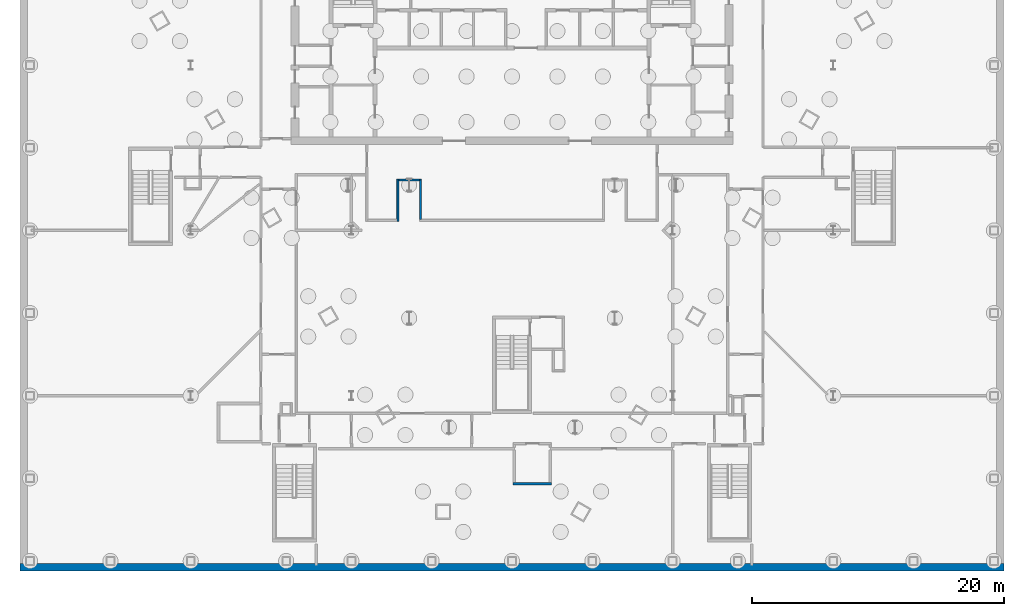
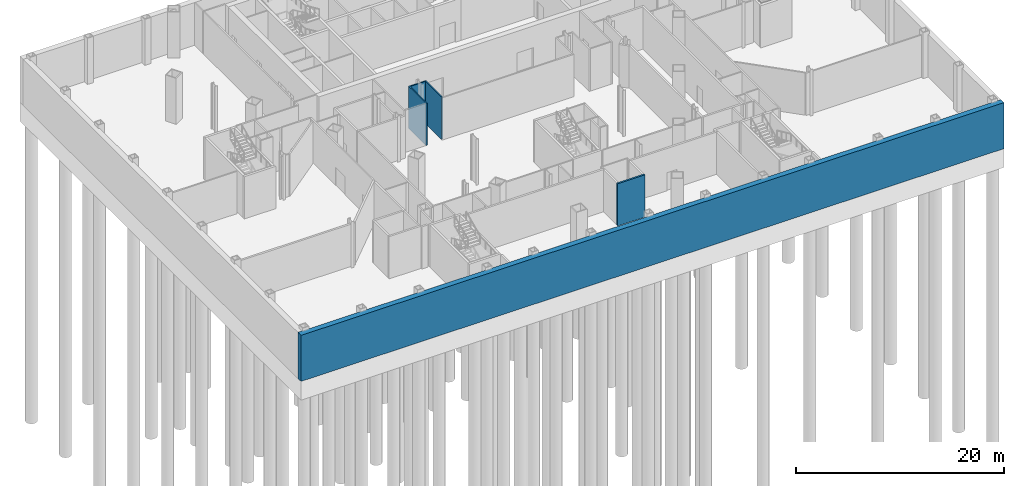
# One storey, part 7 of 19: 5 walls.
"""IFC4 building model written with IfcOpenShell, lengths in metres."""

from ifc_helpers import new_model, si_unit, direction, frame, frame_2d, origin, place, context, subcontext, project, spatial, rectangle, extrude, material, layer, layer_set, type_object, element, save


model = new_model("IFC4")

# Units and contexts
model_context = context("Model", 3, precision=1e-05, world=origin(), true_north=direction((0.0, 1.0)))
body_context = subcontext(model_context, "Body", "Model", "MODEL_VIEW")
ifc_project = project(units=[si_unit("LENGTHUNIT", "METRE"), si_unit("AREAUNIT", "SQUARE_METRE"), si_unit("VOLUMEUNIT", "CUBIC_METRE"), si_unit("PLANEANGLEUNIT", "RADIAN"), si_unit("MASSUNIT", "GRAM", prefix="KILO")], contexts=[model_context])

# Site, building, storey
site_placement = place(None, origin())
site = spatial("IfcSite", under=ifc_project, at=site_placement, CompositionType="ELEMENT")
building_placement = place(site_placement, origin())
building = spatial("IfcBuilding", under=site, at=building_placement, Name="Njiva Tower", CompositionType="ELEMENT")
storey_placement = place(building_placement, frame((0.0, 0.0, -16.8)))
storey = spatial("IfcBuildingStorey", under=building, at=storey_placement, Name="B3", CompositionType="ELEMENT", Elevation=-16.8)

# Walls
ifc_material_1 = material(Name="Gypsum board on steel studs", Category="gypsum")
ifc_layer_1 = layer(ifc_material_1, 0.15)
ifc_layer_set_1 = layer_set([ifc_layer_1], Name="Gypsum board on steel studs")
wall_type_1 = type_object("IfcWallType", Name="WT21 Compartment wall 150", PredefinedType="PARTITIONING", material=ifc_layer_set_1)
wall_1_placement = place(storey_placement, frame((-9.05, -6.075, 0.0), z_axis=(0.0, 0.0, 1.0), x_axis=(0.0, 1.0, 0.0)))
element("IfcWall", 1, at=wall_1_placement, inside=storey, type_object=wall_type_1, Name="Partition B3-P055", PredefinedType="PARTITIONING", context=body_context, shape_type="SweptSolid", body=[
    extrude(rectangle(XDim=3.35, YDim=0.15, at=frame_2d((1.675, 0.0))), origin(), (0.0, 0.0, 1.0), 4.95),
])
wall_2_placement = place(storey_placement, frame((-8.975, -2.8, 0.0), z_axis=(0.0, 0.0, 1.0), x_axis=(1.0, 0.0, 0.0)))
element("IfcWall", 2, at=wall_2_placement, inside=storey, type_object=wall_type_1, Name="Partition B3-P056", PredefinedType="PARTITIONING", context=body_context, shape_type="SweptSolid", body=[
    extrude(rectangle(XDim=1.65, YDim=0.15, at=frame_2d((0.825, 0.0))), origin(), (0.0, 0.0, 1.0), 4.95),
])
wall_3_placement = place(storey_placement, frame((-7.25, -5.925, 0.0), z_axis=(0.0, 0.0, 1.0), x_axis=(0.0, 1.0, 0.0)))
element("IfcWall", 3, at=wall_3_placement, inside=storey, type_object=wall_type_1, Name="Partition B3-P058", PredefinedType="PARTITIONING", context=body_context, shape_type="SweptSolid", body=[
    extrude(rectangle(XDim=3.2, YDim=0.15, at=frame_2d((1.6, 0.0))), origin(), (0.0, 0.0, 1.0), 4.95),
])
ifc_material_2 = material(Name="Blockwork", Category="masonry")
ifc_layer_2 = layer(ifc_material_2, 0.2)
ifc_layer_set_2 = layer_set([ifc_layer_2], Name="Blockwork")
wall_type_2 = type_object("IfcWallType", Name="WT22 Plant room wall 200", PredefinedType="PARTITIONING", material=ifc_layer_set_2)
wall_4_placement = place(storey_placement, frame((0.089, -26.862, 0.0), z_axis=(0.0, 0.0, 1.0), x_axis=(1.0, 0.0, 0.0)))
element("IfcWall", 4, at=wall_4_placement, inside=storey, type_object=wall_type_2, Name="Partition B3-P061", PredefinedType="PARTITIONING", context=body_context, shape_type="SweptSolid", body=[
    extrude(rectangle(XDim=3.046, YDim=0.2, at=frame_2d((1.523, 0.0))), origin(), (0.0, 0.0, 1.0), 4.95),
])
ifc_material_3 = material(Name="Concrete C40/50", Category="concrete")
ifc_layer_3 = layer(ifc_material_3, 0.6)
ifc_layer_set_3 = layer_set([ifc_layer_3], Name="Concrete C40/50")
wall_type_3 = type_object("IfcWallType", Name="WT93 Basement retaining wall 600", PredefinedType="STANDARD", material=ifc_layer_set_3)
wall_5_placement = place(storey_placement, frame((-39.0, -33.5, -0.4), z_axis=(0.0, 0.0, 1.0), x_axis=(1.0, 0.0, 0.0)))
element("IfcWall", 5, at=wall_5_placement, inside=storey, type_object=wall_type_3, Name="Basement retaining wall", PredefinedType="STANDARD", context=body_context, shape_type="SweptSolid", body=[
    extrude(rectangle(XDim=78.0, YDim=0.6, at=frame_2d((39.0, 0.0))), origin(), (0.0, 0.0, 1.0), 5.4),
])

save(model, "model.ifc")
